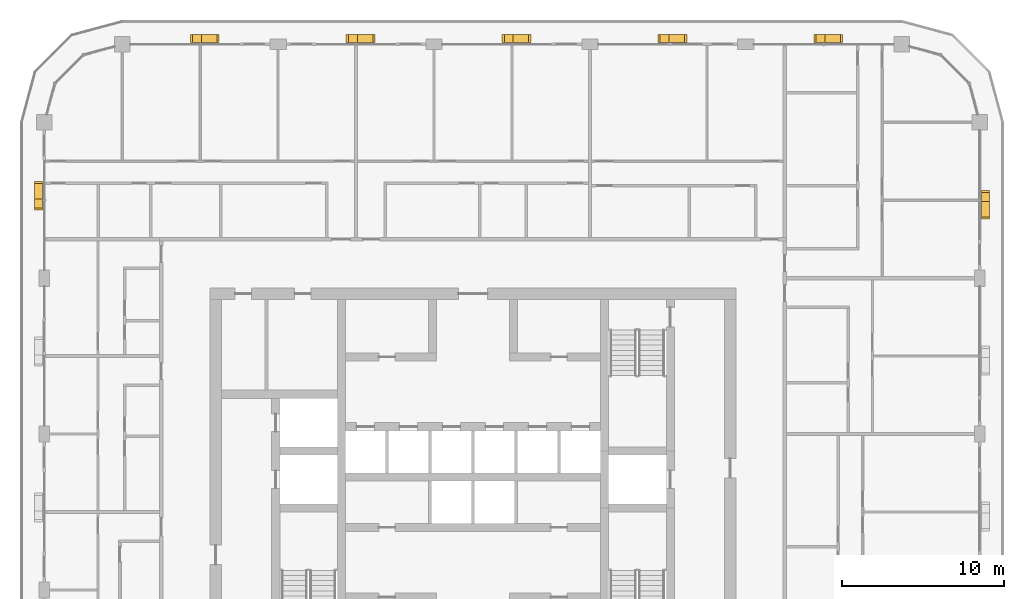
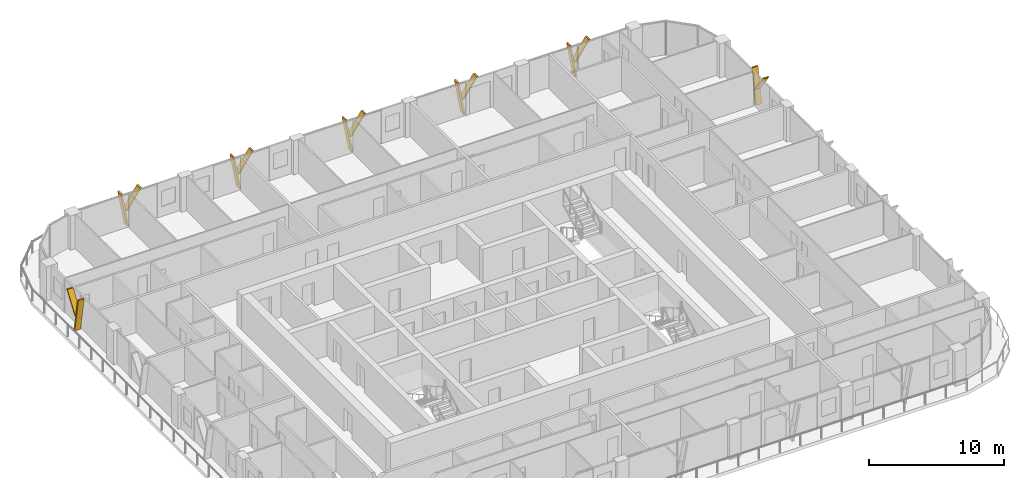
# One storey, part 22 of 22: 14 shading devices.
"""IFC4 building model written with IfcOpenShell, lengths in metres."""

from ifc_helpers import new_model, si_unit, direction, frame, origin, place, context, subcontext, project, spatial, polyline, outline, extrude, material, type_object, element, save


model = new_model("IFC4")

# Units and contexts
model_context = context("Model", 3, precision=1e-05, world=origin(), true_north=direction((0.0, 1.0)))
body_context = subcontext(model_context, "Body", "Model", "MODEL_VIEW")
ifc_project = project(units=[si_unit("LENGTHUNIT", "METRE"), si_unit("AREAUNIT", "SQUARE_METRE"), si_unit("VOLUMEUNIT", "CUBIC_METRE"), si_unit("PLANEANGLEUNIT", "RADIAN"), si_unit("MASSUNIT", "GRAM", prefix="KILO")], contexts=[model_context])

# Site, building, storey
site_placement = place(None, origin())
site = spatial("IfcSite", under=ifc_project, at=site_placement, CompositionType="ELEMENT")
building_placement = place(site_placement, origin())
building = spatial("IfcBuilding", under=site, at=building_placement, Name="Madar Terraces", CompositionType="ELEMENT")
storey_placement = place(building_placement, frame((0.0, 0.0, 229.800048828125)))
storey = spatial("IfcBuildingStorey", under=building, at=storey_placement, Name="L60", CompositionType="ELEMENT", Elevation=229.800048828125)

# Shading devices
ifc_material = material(Name="Aluminium, black anodised", Category="aluminium")
shading_device_type = type_object("IfcShadingDeviceType", Name="Facade fin blade 140 x 500", PredefinedType="USERDEFINED", material=ifc_material)
shading_device_1_placement = place(storey_placement, frame((62.75, 43.1298828125, 0.0), z_axis=(0.0, 0.0, 1.0), x_axis=(0.0, 1.0, 0.0)))
element("IfcShadingDevice", 1, at=shading_device_1_placement, inside=storey, type_object=shading_device_type, Name="FIN L60 E4", ObjectType="FIN", PredefinedType="USERDEFINED", context=body_context, shape_type="SweptSolid", body=[
    extrude(outline(polyline([(0.0, 0.0), (0.14013671875, 0.0), (0.68310546875, 3.079833984375), (0.54296875, 3.079833984375), (0.0, 0.0)])), frame((0.0, 0.25, 0.0), z_axis=(0.0, -1.0, 0.0), x_axis=(1.0, 0.0, 0.0)), (0.0, 0.0, 1.0), 0.5),
])
shading_device_2_placement = place(storey_placement, frame((62.75, 43.234375, 1.385986328125), z_axis=(0.0, 0.0, 1.0), x_axis=(0.0, 1.0, 0.0)))
element("IfcShadingDevice", 2, at=shading_device_2_placement, inside=storey, type_object=shading_device_type, Name="FIN L60 E4 branch", ObjectType="FIN", PredefinedType="USERDEFINED", context=body_context, shape_type="SweptSolid", body=[
    extrude(outline(polyline([(0.0, 0.0), (0.139892578125, 0.0), (-1.061279296875, 1.69384765625), (-1.201416015625, 1.69384765625), (0.0, 0.0)])), frame((0.0, 0.25, 0.0), z_axis=(0.0, -1.0, 0.0), x_axis=(1.0, 0.0, 0.0)), (0.0, 0.0, 1.0), 0.5),
])
shading_device_3_placement = place(storey_placement, frame((52.8701171875, 53.14990234375, 0.0), z_axis=(0.0, 0.0, 1.0), x_axis=(-1.0, 0.0, 0.0)))
element("IfcShadingDevice", 3, at=shading_device_3_placement, inside=storey, type_object=shading_device_type, Name="FIN L60 N1", ObjectType="FIN", PredefinedType="USERDEFINED", context=body_context, shape_type="SweptSolid", body=[
    extrude(outline(polyline([(0.0, 0.0), (0.14013671875, 0.0), (0.68310546875, 3.079833984375), (0.54296875, 3.079833984375), (0.0, 0.0)])), frame((0.0, 0.25, 0.0), z_axis=(0.0, -1.0, 0.0), x_axis=(1.0, 0.0, 0.0)), (0.0, 0.0, 1.0), 0.5),
])
shading_device_4_placement = place(storey_placement, frame((52.765625, 53.14990234375, 1.385986328125), z_axis=(0.0, 0.0, 1.0), x_axis=(-1.0, 0.0, 0.0)))
element("IfcShadingDevice", 4, at=shading_device_4_placement, inside=storey, type_object=shading_device_type, Name="FIN L60 N1 branch", ObjectType="FIN", PredefinedType="USERDEFINED", context=body_context, shape_type="SweptSolid", body=[
    extrude(outline(polyline([(0.0, 0.0), (0.139892578125, 0.0), (-1.061279296875, 1.69384765625), (-1.201416015625, 1.69384765625), (0.0, 0.0)])), frame((0.0, 0.25, 0.0), z_axis=(0.0, -1.0, 0.0), x_axis=(1.0, 0.0, 0.0)), (0.0, 0.0, 1.0), 0.5),
])
shading_device_5_placement = place(storey_placement, frame((43.27001953125, 53.14990234375, 0.0), z_axis=(0.0, 0.0, 1.0), x_axis=(-1.0, 0.0, 0.0)))
element("IfcShadingDevice", 5, at=shading_device_5_placement, inside=storey, type_object=shading_device_type, Name="FIN L60 N2", ObjectType="FIN", PredefinedType="USERDEFINED", context=body_context, shape_type="SweptSolid", body=[
    extrude(outline(polyline([(0.0, 0.0), (0.14013671875, 0.0), (0.68310546875, 3.079833984375), (0.54296875, 3.079833984375), (0.0, 0.0)])), frame((0.0, 0.25, 0.0), z_axis=(0.0, -1.0, 0.0), x_axis=(1.0, 0.0, 0.0)), (0.0, 0.0, 1.0), 0.5),
])
shading_device_6_placement = place(storey_placement, frame((43.16552734375, 53.14990234375, 1.385986328125), z_axis=(0.0, 0.0, 1.0), x_axis=(-1.0, 0.0, 0.0)))
element("IfcShadingDevice", 6, at=shading_device_6_placement, inside=storey, type_object=shading_device_type, Name="FIN L60 N2 branch", ObjectType="FIN", PredefinedType="USERDEFINED", context=body_context, shape_type="SweptSolid", body=[
    extrude(outline(polyline([(0.0, 0.0), (0.139892578125, 0.0), (-1.061279296875, 1.69384765625), (-1.201416015625, 1.69384765625), (0.0, 0.0)])), frame((0.0, 0.25, 0.0), z_axis=(0.0, -1.0, 0.0), x_axis=(1.0, 0.0, 0.0)), (0.0, 0.0, 1.0), 0.5),
])
shading_device_7_placement = place(storey_placement, frame((33.669921875, 53.14990234375, 0.0), z_axis=(0.0, 0.0, 1.0), x_axis=(-1.0, 0.0, 0.0)))
element("IfcShadingDevice", 7, at=shading_device_7_placement, inside=storey, type_object=shading_device_type, Name="FIN L60 N3", ObjectType="FIN", PredefinedType="USERDEFINED", context=body_context, shape_type="SweptSolid", body=[
    extrude(outline(polyline([(0.0, 0.0), (0.139892578125, 0.0), (0.68310546875, 3.079833984375), (0.54296875, 3.079833984375), (0.0, 0.0)])), frame((0.0, 0.25, 0.0), z_axis=(0.0, -1.0, 0.0), x_axis=(1.0, 0.0, 0.0)), (0.0, 0.0, 1.0), 0.5),
])
shading_device_8_placement = place(storey_placement, frame((33.565673828125, 53.14990234375, 1.385986328125), z_axis=(0.0, 0.0, 1.0), x_axis=(-1.0, 0.0, 0.0)))
element("IfcShadingDevice", 8, at=shading_device_8_placement, inside=storey, type_object=shading_device_type, Name="FIN L60 N3 branch", ObjectType="FIN", PredefinedType="USERDEFINED", context=body_context, shape_type="SweptSolid", body=[
    extrude(outline(polyline([(0.0, 0.0), (0.14013671875, 0.0), (-1.061279296875, 1.69384765625), (-1.201416015625, 1.69384765625), (0.0, 0.0)])), frame((0.0, 0.25, 0.0), z_axis=(0.0, -1.0, 0.0), x_axis=(1.0, 0.0, 0.0)), (0.0, 0.0, 1.0), 0.5),
])
shading_device_9_placement = place(storey_placement, frame((24.070068359375, 53.14990234375, 0.0), z_axis=(0.0, 0.0, 1.0), x_axis=(-1.0, 0.0, 0.0)))
element("IfcShadingDevice", 9, at=shading_device_9_placement, inside=storey, type_object=shading_device_type, Name="FIN L60 N4", ObjectType="FIN", PredefinedType="USERDEFINED", context=body_context, shape_type="SweptSolid", body=[
    extrude(outline(polyline([(0.0, 0.0), (0.14013671875, 0.0), (0.68310546875, 3.079833984375), (0.54296875, 3.079833984375), (0.0, 0.0)])), frame((0.0, 0.25, 0.0), z_axis=(0.0, -1.0, 0.0), x_axis=(1.0, 0.0, 0.0)), (0.0, 0.0, 1.0), 0.5),
])
shading_device_10_placement = place(storey_placement, frame((23.965576171875, 53.14990234375, 1.385986328125), z_axis=(0.0, 0.0, 1.0), x_axis=(-1.0, 0.0, 0.0)))
element("IfcShadingDevice", 10, at=shading_device_10_placement, inside=storey, type_object=shading_device_type, Name="FIN L60 N4 branch", ObjectType="FIN", PredefinedType="USERDEFINED", context=body_context, shape_type="SweptSolid", body=[
    extrude(outline(polyline([(0.0, 0.0), (0.139892578125, 0.0), (-1.061279296875, 1.69384765625), (-1.201416015625, 1.69384765625), (0.0, 0.0)])), frame((0.0, 0.25, 0.0), z_axis=(0.0, -1.0, 0.0), x_axis=(1.0, 0.0, 0.0)), (0.0, 0.0, 1.0), 0.5),
])
shading_device_11_placement = place(storey_placement, frame((14.469970703125, 53.14990234375, 0.0), z_axis=(0.0, 0.0, 1.0), x_axis=(-1.0, 0.0, 0.0)))
element("IfcShadingDevice", 11, at=shading_device_11_placement, inside=storey, type_object=shading_device_type, Name="FIN L60 N5", ObjectType="FIN", PredefinedType="USERDEFINED", context=body_context, shape_type="SweptSolid", body=[
    extrude(outline(polyline([(0.0, 0.0), (0.139892578125, 0.0), (0.68310546875, 3.079833984375), (0.54296875, 3.079833984375), (0.0, 0.0)])), frame((0.0, 0.25, 0.0), z_axis=(0.0, -1.0, 0.0), x_axis=(1.0, 0.0, 0.0)), (0.0, 0.0, 1.0), 0.5),
])
shading_device_12_placement = place(storey_placement, frame((14.36572265625, 53.14990234375, 1.385986328125), z_axis=(0.0, 0.0, 1.0), x_axis=(-1.0, 0.0, 0.0)))
element("IfcShadingDevice", 12, at=shading_device_12_placement, inside=storey, type_object=shading_device_type, Name="FIN L60 N5 branch", ObjectType="FIN", PredefinedType="USERDEFINED", context=body_context, shape_type="SweptSolid", body=[
    extrude(outline(polyline([(0.0, 0.0), (0.14013671875, 0.0), (-1.061279296875, 1.69384765625), (-1.201416015625, 1.69384765625), (0.0, 0.0)])), frame((0.0, 0.25, 0.0), z_axis=(0.0, -1.0, 0.0), x_axis=(1.0, 0.0, 0.0)), (0.0, 0.0, 1.0), 0.5),
])
shading_device_13_placement = place(storey_placement, frame((4.449951171875, 43.27001953125, 0.0), z_axis=(0.0, 0.0, 1.0), x_axis=(0.0, -1.0, 0.0)))
element("IfcShadingDevice", 13, at=shading_device_13_placement, inside=storey, type_object=shading_device_type, Name="FIN L60 W1", ObjectType="FIN", PredefinedType="USERDEFINED", context=body_context, shape_type="SweptSolid", body=[
    extrude(outline(polyline([(0.0, 0.0), (0.14013671875, 0.0), (0.68310546875, 3.079833984375), (0.54296875, 3.079833984375), (0.0, 0.0)])), frame((0.0, 0.25, 0.0), z_axis=(0.0, -1.0, 0.0), x_axis=(1.0, 0.0, 0.0)), (0.0, 0.0, 1.0), 0.5),
])
shading_device_14_placement = place(storey_placement, frame((4.449951171875, 43.16552734375, 1.385986328125), z_axis=(0.0, 0.0, 1.0), x_axis=(0.0, -1.0, 0.0)))
element("IfcShadingDevice", 14, at=shading_device_14_placement, inside=storey, type_object=shading_device_type, Name="FIN L60 W1 branch", ObjectType="FIN", PredefinedType="USERDEFINED", context=body_context, shape_type="SweptSolid", body=[
    extrude(outline(polyline([(0.0, 0.0), (0.139892578125, 0.0), (-1.061279296875, 1.69384765625), (-1.201416015625, 1.69384765625), (0.0, 0.0)])), frame((0.0, 0.25, 0.0), z_axis=(0.0, -1.0, 0.0), x_axis=(1.0, 0.0, 0.0)), (0.0, 0.0, 1.0), 0.5),
])

save(model, "model.ifc")
